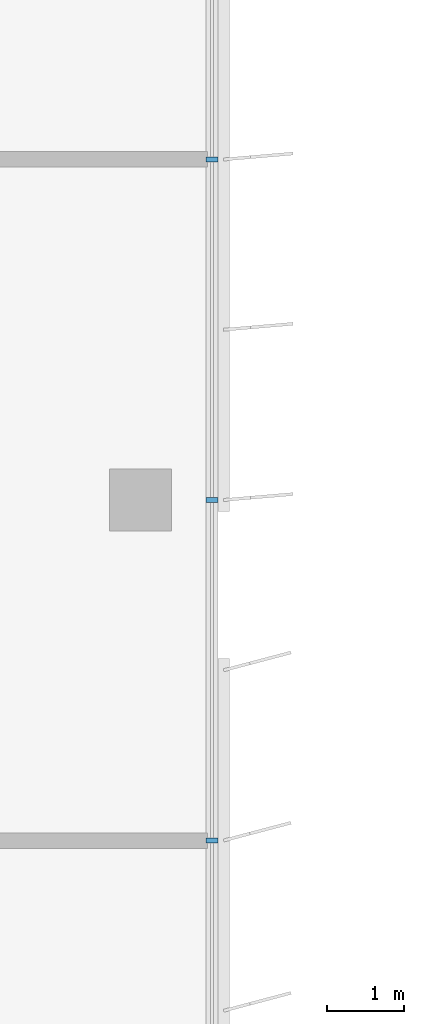
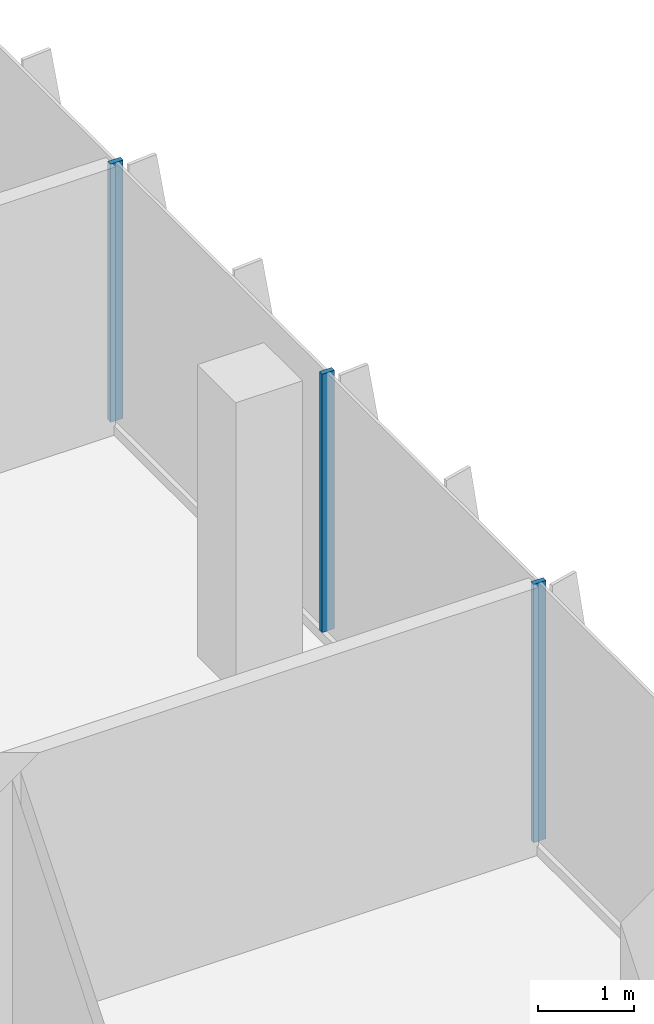
# One storey, part 4 of 15: 3 members, 1 element without a shape of its own.
"""IFC4 building model written with IfcOpenShell, lengths in metres."""

from ifc_helpers import new_model, si_unit, direction, frame, origin, origin_2d, place, context, subcontext, project, spatial, rectangle, extrude, source, transform, mapped, material, material_profile, profile_set, type_object, element, aggregate, save


model = new_model("IFC4")

# Units and contexts
model_context = context("Model", 3, precision=1e-05, world=origin(), true_north=direction((0.0, 1.0)))
body_context = subcontext(model_context, "Body", "Model", "MODEL_VIEW")
ifc_project = project(units=[si_unit("LENGTHUNIT", "METRE"), si_unit("AREAUNIT", "SQUARE_METRE"), si_unit("VOLUMEUNIT", "CUBIC_METRE"), si_unit("PLANEANGLEUNIT", "RADIAN"), si_unit("MASSUNIT", "GRAM", prefix="KILO")], contexts=[model_context])

# Site, building, storey
site_placement = place(None, origin())
site = spatial("IfcSite", under=ifc_project, at=site_placement, CompositionType="ELEMENT")
building_placement = place(site_placement, origin())
building = spatial("IfcBuilding", under=site, at=building_placement, Name="Kemantara Hotel Tower", CompositionType="ELEMENT")
storey_placement = place(building_placement, frame((0.0, 0.0, 298.10009765625)))
storey = spatial("IfcBuildingStorey", under=building, at=storey_placement, Name="L75", CompositionType="ELEMENT", Elevation=298.10009765625)

# Curtain wall, members
ifc_material_1 = material(Name="Low-E tinted double insulated glass 36 mm", Category="glass")
curtain_wall_type = type_object("IfcCurtainWallType", Name="TOWER CURTAIN WALL, FRONT FACES", PredefinedType="USERDEFINED", material=ifc_material_1)
curtain_wall_placement = place(storey_placement, origin())
curtain_wall = element("IfcCurtainWall", 1, at=curtain_wall_placement, inside=storey, type_object=curtain_wall_type, Name="CW4 L75 T4-R15-1", ObjectType="TOWER CURTAIN WALL, FRONT FACES", PredefinedType="USERDEFINED")
ifc_material_2 = material(Name="Aluminium 6063-T6 bronze anodised", Category="aluminium")
ifc_material_profile = material_profile(ifc_material_2, rectangle(XDim=0.14990234375, YDim=0.06005859375, at=origin_2d()), Name="TOWER CURTAIN WALL, FRONT FACES MULLION")
ifc_profile_set = profile_set([ifc_material_profile], Name="Aluminium 6063-T6 bronze anodised")
member_type = type_object("IfcMemberType", Name="TOWER CURTAIN WALL, FRONT FACES MULLION", PredefinedType="MULLION", material=ifc_profile_set)
shared_shape = source(origin(), body_context, "Body", "SweptSolid", [
    extrude(rectangle(XDim=0.14990234375, YDim=0.06005859375, at=origin_2d()), origin(), (0.0, 0.0, 1.0), 3.280029296875),
])
member_1_placement = place(storey_placement, frame((21.925048828125, 31.800048828125, 0.119873046875), z_axis=(0.0, 0.0, 1.0), x_axis=(-1.0, 0.0, 0.0)))
member_1 = element("IfcMember", 2, at=member_1_placement, type_object=member_type, Name="CW4 mullion T4-R15-1.3", PredefinedType="MULLION", context=body_context, shape_type="MappedRepresentation", body=[
    mapped(shared_shape, transform((0.0, 0.0, 0.0))),
])
member_2_placement = place(storey_placement, frame((21.925048828125, 36.199951171875, 0.119873046875), z_axis=(0.0, 0.0, 1.0), x_axis=(-1.0, 0.0, 0.0)))
member_2 = element("IfcMember", 3, at=member_2_placement, type_object=member_type, Name="CW4 mullion T4-R15-1.4", PredefinedType="MULLION", context=body_context, shape_type="MappedRepresentation", body=[
    mapped(shared_shape, transform((0.0, 0.0, 0.0))),
])
member_3_placement = place(storey_placement, frame((21.925048828125, 40.60009765625, 0.119873046875), z_axis=(0.0, 0.0, 1.0), x_axis=(-1.0, 0.0, 0.0)))
member_3 = element("IfcMember", 4, at=member_3_placement, type_object=member_type, Name="CW4 mullion T4-R15-1.5", PredefinedType="MULLION", context=body_context, shape_type="MappedRepresentation", body=[
    mapped(shared_shape, transform((0.0, 0.0, 0.0))),
])
aggregate(curtain_wall, [member_1, member_2, member_3])

save(model, "model.ifc")
